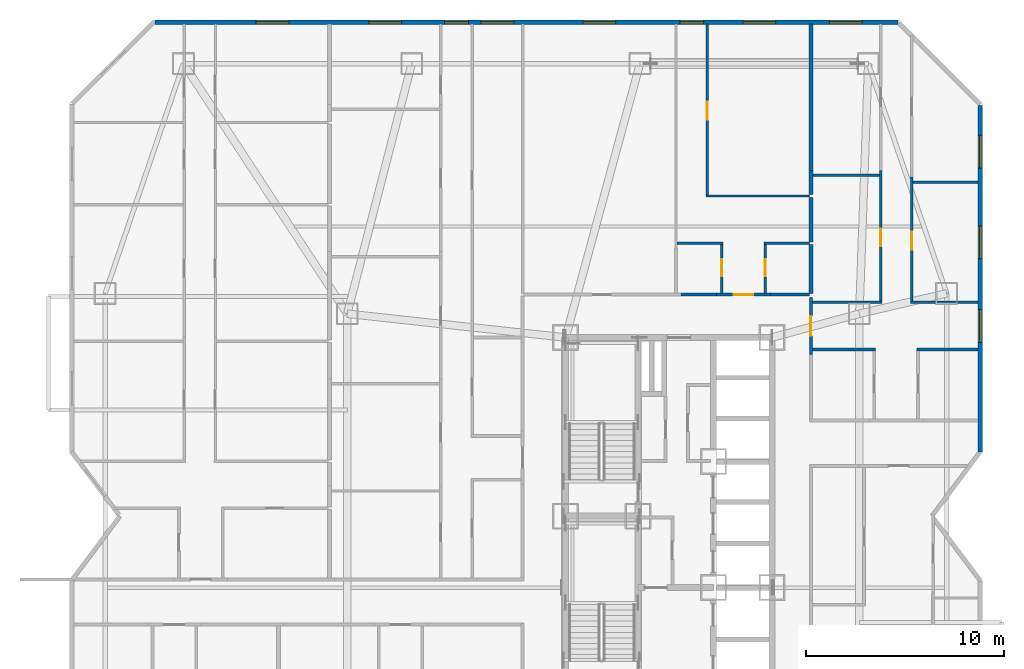
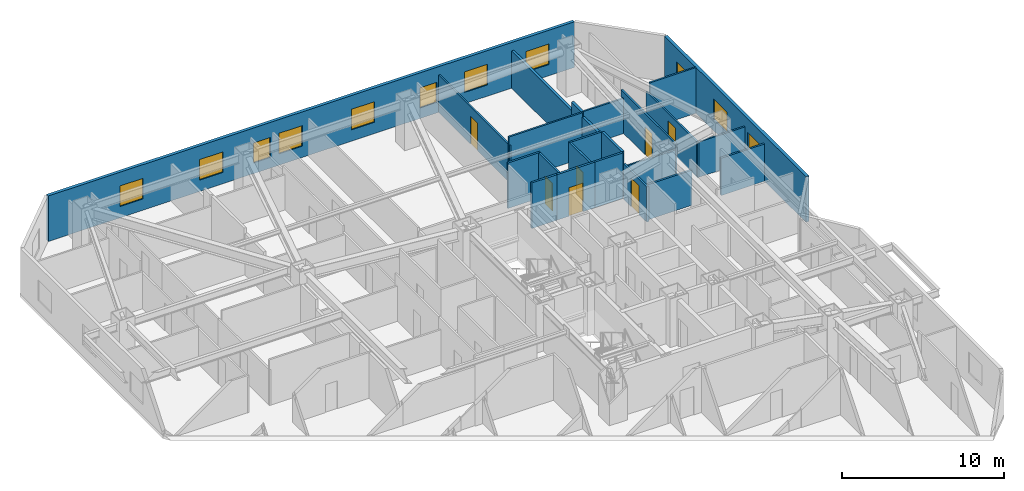
# One storey, part 12 of 14: 24 walls, 11 windows, 7 doors, 18 openings.
"""IFC4 building model written with IfcOpenShell, lengths in metres."""

from ifc_helpers import new_model, si_unit, direction, frame, frame_2d, origin, place, context, subcontext, project, spatial, rectangle, extrude, material, layer, layer_set, type_object, element, fill, save


model = new_model("IFC4")

# Units and contexts
model_context = context("Model", 3, precision=1e-05, world=origin(), true_north=direction((0.0, 1.0)))
body_context = subcontext(model_context, "Body", "Model", "MODEL_VIEW")
ifc_project = project(units=[si_unit("LENGTHUNIT", "METRE"), si_unit("AREAUNIT", "SQUARE_METRE"), si_unit("VOLUMEUNIT", "CUBIC_METRE"), si_unit("PLANEANGLEUNIT", "RADIAN"), si_unit("MASSUNIT", "GRAM", prefix="KILO")], contexts=[model_context])

# Site, building, storey
site_placement = place(None, origin())
site = spatial("IfcSite", under=ifc_project, at=site_placement, CompositionType="ELEMENT")
building_placement = place(site_placement, origin())
building = spatial("IfcBuilding", under=site, at=building_placement, Name="Khamvora Tower", CompositionType="ELEMENT")
storey_placement = place(building_placement, frame((0.0, 0.0, 51.550048828125)))
storey = spatial("IfcBuildingStorey", under=building, at=storey_placement, Name="L12", CompositionType="ELEMENT", Elevation=51.550048828125)

# Wall, opening, door
ifc_material_1 = material(Name="Fire-Rated Drywall and Steel Stud", Category="steel")
ifc_layer_1 = layer(ifc_material_1, 0.14990234375)
ifc_layer_set_1 = layer_set([ifc_layer_1], Name="Fire-Rated Drywall and Steel Stud")
wall_type_1 = type_object("IfcWallType", Name="WAL-CORR-150", PredefinedType="STANDARD", material=ifc_layer_set_1)
wall_1_placement = place(storey_placement, frame((36.615966796875, 39.1650390625, 0.0), z_axis=(0.0, 0.0, 1.0), x_axis=(1.0, 0.0, 0.0)))
wall_1 = element("IfcWall", 1, at=wall_1_placement, inside=storey, type_object=wall_type_1, Name="L12 interior partition wall 031", PredefinedType="STANDARD", context=body_context, shape_type="SweptSolid", body=[
    extrude(rectangle(XDim=2.697998046875, YDim=0.14990234375, at=frame_2d((1.34912109375, 0.0))), origin(), (0.0, 0.0, 1.0), 3.429931640625),
])
opening_1_placement = place(wall_1_placement, frame((0.84912109375, 0.0, 0.0)))
opening_1 = element("IfcOpeningElement", 2, at=opening_1_placement, cuts=wall_1, Name="Opening D-U1", PredefinedType="OPENING", context=body_context, shape_type="SweptSolid", body=[
    extrude(rectangle(XDim=1.0, YDim=2.14990234375, at=frame_2d((0.5, 1.074951171875))), frame((0.0, 0.0849609375, 0.0), z_axis=(0.0, -1.0, 0.0), x_axis=(1.0, 0.0, 0.0)), (0.0, 0.0, 1.0), 0.169921875),
])
ifc_material_2 = material(Name="Powder-Coated Steel and Hardwood Leaf", Category="steel")
door_type_1 = type_object("IfcDoorType", Name="DOR-UNIT-1000", OperationType="NOTDEFINED", PredefinedType="DOOR", material=ifc_material_2)
door_1_placement = place(opening_1_placement, origin())
door_1 = element("IfcDoor", 3, at=door_1_placement, inside=storey, type_object=door_type_1, Name="L12 interior door COR-12NAH", OperationType="SINGLE_SWING_LEFT", OverallHeight=2.14990234375, OverallWidth=1.0, PredefinedType="DOOR", context=body_context, shape_type="SweptSolid", body=[
    extrude(rectangle(XDim=1.0, YDim=2.14990234375, at=frame_2d((0.5, 1.074951171875))), frame((0.0, 0.02490234375, 0.0), z_axis=(0.0, -1.0, 0.0), x_axis=(1.0, 0.0, 0.0)), (0.0, 0.0, 1.0), 0.050048828125),
])
fill(opening_1, door_1)

# Walls
wall_2_placement = place(storey_placement, frame((39.31396484375, 39.1650390625, 0.0), z_axis=(0.0, 0.0, 1.0), x_axis=(1.0, 0.0, 0.0)))
element("IfcWall", 4, at=wall_2_placement, inside=storey, type_object=wall_type_1, Name="L12 interior partition wall 032", PredefinedType="STANDARD", context=body_context, shape_type="SweptSolid", body=[
    extrude(rectangle(XDim=1.986083984375, YDim=0.14990234375, at=frame_2d((0.9931640625, 0.0))), origin(), (0.0, 0.0, 1.0), 3.429931640625),
])
wall_3_placement = place(storey_placement, frame((34.81396484375, 39.1650390625, 0.0), z_axis=(0.0, 0.0, 1.0), x_axis=(1.0, 0.0, 0.0)))
element("IfcWall", 5, at=wall_3_placement, inside=storey, type_object=wall_type_1, Name="L12 interior partition wall 033", PredefinedType="STANDARD", context=body_context, shape_type="SweptSolid", body=[
    extrude(rectangle(XDim=1.802001953125, YDim=0.14990234375, at=frame_2d((0.90087890625, 0.0))), origin(), (0.0, 0.0, 1.0), 3.429931640625),
])

# Wall, opening, door
wall_4_placement = place(storey_placement, frame((41.364990234375, 39.02392578125, 0.0), z_axis=(0.0, 0.0, 1.0), x_axis=(0.0, -1.0, 0.0)))
wall_4 = element("IfcWall", 6, at=wall_4_placement, inside=storey, type_object=wall_type_1, Name="L12 interior partition wall 040", PredefinedType="STANDARD", context=body_context, shape_type="SweptSolid", body=[
    extrude(rectangle(XDim=2.8779296875, YDim=0.14990234375, at=frame_2d((1.43896484375, 0.0))), origin(), (0.0, 0.0, 1.0), 2.64697265625),
])
opening_2_placement = place(wall_4_placement, frame((0.93896484375, 0.0, 0.0)))
opening_2 = element("IfcOpeningElement", 7, at=opening_2_placement, cuts=wall_4, Name="Opening D-U1", PredefinedType="OPENING", context=body_context, shape_type="SweptSolid", body=[
    extrude(rectangle(XDim=1.0, YDim=2.14990234375, at=frame_2d((0.5, 1.074951171875))), frame((0.0, 0.0849609375, 0.0), z_axis=(0.0, -1.0, 0.0), x_axis=(1.0, 0.0, 0.0)), (0.0, 0.0, 1.0), 0.169921875),
])
door_2_placement = place(opening_2_placement, origin())
door_2 = element("IfcDoor", 8, at=door_2_placement, inside=storey, type_object=door_type_1, Name="L12 interior door COR-12ECH", OperationType="SINGLE_SWING_LEFT", OverallHeight=2.14990234375, OverallWidth=1.0, PredefinedType="DOOR", context=body_context, shape_type="SweptSolid", body=[
    extrude(rectangle(XDim=1.0, YDim=2.14990234375, at=frame_2d((0.5, 1.074951171875))), frame((0.0, 0.02490234375, 0.0), z_axis=(0.0, -1.0, 0.0), x_axis=(1.0, 0.0, 0.0)), (0.0, 0.0, 1.0), 0.050048828125),
])
fill(opening_2, door_2)

# Walls
ifc_material_3 = material(Name="Acoustic Double-Stud Fire Wall", Category="gypsum")
ifc_layer_2 = layer(ifc_material_3, 0.179931640625)
ifc_layer_set_2 = layer_set([ifc_layer_2], Name="Acoustic Double-Stud Fire Wall")
wall_type_2 = type_object("IfcWallType", Name="WAL-CORR-180", PredefinedType="STANDARD", material=ifc_layer_set_2)
wall_5_placement = place(storey_placement, frame((41.364990234375, 44.069091796875, 0.0), z_axis=(0.0, 0.0, 1.0), x_axis=(0.0, -1.0, 0.0)))
element("IfcWall", 9, at=wall_5_placement, inside=storey, type_object=wall_type_2, Name="L12 interior partition wall 149", PredefinedType="STANDARD", context=body_context, shape_type="SweptSolid", body=[
    extrude(rectangle(XDim=2.25, YDim=0.179931640625, at=frame_2d((1.125, 0.0))), origin(), (0.0, 0.0, 1.0), 3.10693359375),
])
wall_6_placement = place(storey_placement, frame((41.364990234375, 41.68896484375, 0.0), z_axis=(0.0, 0.0, 1.0), x_axis=(0.0, -1.0, 0.0)))
element("IfcWall", 10, at=wall_6_placement, inside=storey, type_object=wall_type_2, Name="L12 interior partition wall 150", PredefinedType="STANDARD", context=body_context, shape_type="SweptSolid", body=[
    extrude(rectangle(XDim=2.458984375, YDim=0.179931640625, at=frame_2d((1.2294921875, 0.0))), origin(), (0.0, 0.0, 1.0), 3.429931640625),
])
wall_7_placement = place(storey_placement, frame((41.364990234375, 45.41796875, 0.0), z_axis=(0.0, 0.0, 1.0), x_axis=(0.0, -1.0, 0.0)))
element("IfcWall", 11, at=wall_7_placement, inside=storey, type_object=wall_type_2, Name="L12 interior partition wall 151", PredefinedType="STANDARD", context=body_context, shape_type="SweptSolid", body=[
    extrude(rectangle(XDim=1.218994140625, YDim=0.179931640625, at=frame_2d((0.609375, 0.0))), origin(), (0.0, 0.0, 1.0), 3.429931640625),
])
wall_8_placement = place(storey_placement, frame((41.364990234375, 52.7880859375, 0.0), z_axis=(0.0, 0.0, 1.0), x_axis=(0.0, -1.0, 0.0)))
element("IfcWall", 12, at=wall_8_placement, inside=storey, type_object=wall_type_2, Name="L12 interior partition wall 152", PredefinedType="STANDARD", context=body_context, shape_type="SweptSolid", body=[
    extrude(rectangle(XDim=7.3701171875, YDim=0.179931640625, at=frame_2d((3.68505859375, 0.0))), origin(), (0.0, 0.0, 1.0), 2.802978515625),
])

# Wall, openings, windows
ifc_material_4 = material(Name="Precast concrete C40/50", Category="concrete")
ifc_layer_3 = layer(ifc_material_4, 0.219970703125)
ifc_layer_set_3 = layer_set([ifc_layer_3], Name="Precast concrete C40/50")
wall_type_3 = type_object("IfcWallType", Name="WAL-EXT-220", PredefinedType="STANDARD", material=ifc_layer_set_3)
wall_9_placement = place(storey_placement, frame((8.31494140625, 52.889892578125, 0.0), z_axis=(0.0, 0.0, 1.0), x_axis=(1.0, 0.0, 0.0)))
wall_9 = element("IfcWall", 13, at=wall_9_placement, inside=storey, type_object=wall_type_3, Name="L12 exterior facade wall 07.1", PredefinedType="STANDARD", context=body_context, shape_type="SweptSolid", body=[
    extrude(rectangle(XDim=37.43896484375, YDim=0.219970703125, at=frame_2d((18.719482421875, 0.0))), origin(), (0.0, 0.0, 1.0), 3.429931640625),
])
opening_3_placement = place(wall_9_placement, frame((21.56005859375, 0.0, 0.85009765625)))
opening_3 = element("IfcOpeningElement", 14, at=opening_3_placement, cuts=wall_9, Name="Opening WN-06", PredefinedType="OPENING", context=body_context, shape_type="SweptSolid", body=[
    extrude(rectangle(XDim=1.64990234375, YDim=1.550048828125, at=frame_2d((0.824951171875, 0.77490234375))), frame((0.0, 0.119873046875, 0.0), z_axis=(0.0, -1.0, 0.0), x_axis=(1.0, 0.0, 0.0)), (0.0, 0.0, 1.0), 0.239990234375),
])
opening_4_placement = place(wall_9_placement, frame((5.093017578125, 0.0, 0.85009765625)))
opening_4 = element("IfcOpeningElement", 15, at=opening_4_placement, cuts=wall_9, Name="Opening WN-06", PredefinedType="OPENING", context=body_context, shape_type="SweptSolid", body=[
    extrude(rectangle(XDim=1.64990234375, YDim=1.550048828125, at=frame_2d((0.824951171875, 0.77490234375))), frame((0.0, 0.119873046875, 0.0), z_axis=(0.0, -1.0, 0.0), x_axis=(1.0, 0.0, 0.0)), (0.0, 0.0, 1.0), 0.239990234375),
])
opening_5_placement = place(wall_9_placement, frame((16.426025390625, 0.0, 0.85009765625)))
opening_5 = element("IfcOpeningElement", 16, at=opening_5_placement, cuts=wall_9, Name="Opening WN-06", PredefinedType="OPENING", context=body_context, shape_type="SweptSolid", body=[
    extrude(rectangle(XDim=1.64990234375, YDim=1.550048828125, at=frame_2d((0.824951171875, 0.77490234375))), frame((0.0, 0.119873046875, 0.0), z_axis=(0.0, -1.0, 0.0), x_axis=(1.0, 0.0, 0.0)), (0.0, 0.0, 1.0), 0.239990234375),
])
opening_6_placement = place(wall_9_placement, frame((14.592041015625, 0.0, 0.800048828125)))
opening_6 = element("IfcOpeningElement", 17, at=opening_6_placement, cuts=wall_9, Name="Opening WN-03", PredefinedType="OPENING", context=body_context, shape_type="SweptSolid", body=[
    extrude(rectangle(XDim=1.199951171875, YDim=1.5, at=frame_2d((0.60009765625, 0.75))), frame((0.0, 0.119873046875, 0.0), z_axis=(0.0, -1.0, 0.0), x_axis=(1.0, 0.0, 0.0)), (0.0, 0.0, 1.0), 0.239990234375),
])
opening_7_placement = place(wall_9_placement, frame((10.77099609375, 0.0, 0.85009765625)))
opening_7 = element("IfcOpeningElement", 18, at=opening_7_placement, cuts=wall_9, Name="Opening WN-06", PredefinedType="OPENING", context=body_context, shape_type="SweptSolid", body=[
    extrude(rectangle(XDim=1.64990234375, YDim=1.550048828125, at=frame_2d((0.824951171875, 0.77490234375))), frame((0.0, 0.119873046875, 0.0), z_axis=(0.0, -1.0, 0.0), x_axis=(1.0, 0.0, 0.0)), (0.0, 0.0, 1.0), 0.239990234375),
])
opening_8_placement = place(wall_9_placement, frame((26.43994140625, 0.0, 0.800048828125)))
opening_8 = element("IfcOpeningElement", 19, at=opening_8_placement, cuts=wall_9, Name="Opening WN-03", PredefinedType="OPENING", context=body_context, shape_type="SweptSolid", body=[
    extrude(rectangle(XDim=1.199951171875, YDim=1.5, at=frame_2d((0.60009765625, 0.75))), frame((0.0, 0.119873046875, 0.0), z_axis=(0.0, -1.0, 0.0), x_axis=(1.0, 0.0, 0.0)), (0.0, 0.0, 1.0), 0.239990234375),
])
opening_9_placement = place(wall_9_placement, frame((29.614990234375, 0.0, 0.85009765625)))
opening_9 = element("IfcOpeningElement", 20, at=opening_9_placement, cuts=wall_9, Name="Opening WN-06", PredefinedType="OPENING", context=body_context, shape_type="SweptSolid", body=[
    extrude(rectangle(XDim=1.64990234375, YDim=1.550048828125, at=frame_2d((0.824951171875, 0.77490234375))), frame((0.0, 0.119873046875, 0.0), z_axis=(0.0, -1.0, 0.0), x_axis=(1.0, 0.0, 0.0)), (0.0, 0.0, 1.0), 0.239990234375),
])
opening_10_placement = place(wall_9_placement, frame((33.97998046875, 0.0, 0.85009765625)))
opening_10 = element("IfcOpeningElement", 21, at=opening_10_placement, cuts=wall_9, Name="Opening WN-06", PredefinedType="OPENING", context=body_context, shape_type="SweptSolid", body=[
    extrude(rectangle(XDim=1.64990234375, YDim=1.550048828125, at=frame_2d((0.824951171875, 0.77490234375))), frame((0.0, 0.119873046875, 0.0), z_axis=(0.0, -1.0, 0.0), x_axis=(1.0, 0.0, 0.0)), (0.0, 0.0, 1.0), 0.239990234375),
])
ifc_material_5 = material(Name="Low-E Laminated Double Glazing", Category="glass")
window_type_1 = type_object("IfcWindowType", Name="WIN-VIS-1200x1500", PartitioningType="SINGLE_PANEL", PredefinedType="WINDOW", material=ifc_material_5)
window_1_placement = place(opening_6_placement, origin())
window_1 = element("IfcWindow", 22, at=window_1_placement, inside=storey, type_object=window_type_1, Name="L12 vision window 07.1.04", OverallHeight=1.5, OverallWidth=1.199951171875, PartitioningType="SINGLE_PANEL", PredefinedType="WINDOW", context=body_context, shape_type="SweptSolid", body=[
    extrude(rectangle(XDim=1.199951171875, YDim=1.5, at=frame_2d((0.60009765625, 0.75))), frame((0.0, 0.030029296875, 0.0), z_axis=(0.0, -1.0, 0.0), x_axis=(1.0, 0.0, 0.0)), (0.0, 0.0, 1.0), 0.06005859375),
])
fill(opening_6, window_1)
window_2_placement = place(opening_8_placement, origin())
window_2 = element("IfcWindow", 23, at=window_2_placement, inside=storey, type_object=window_type_1, Name="L12 vision window 07.1.06", OverallHeight=1.5, OverallWidth=1.199951171875, PartitioningType="SINGLE_PANEL", PredefinedType="WINDOW", context=body_context, shape_type="SweptSolid", body=[
    extrude(rectangle(XDim=1.199951171875, YDim=1.5, at=frame_2d((0.60009765625, 0.75))), frame((0.0, 0.030029296875, 0.0), z_axis=(0.0, -1.0, 0.0), x_axis=(1.0, 0.0, 0.0)), (0.0, 0.0, 1.0), 0.06005859375),
])
fill(opening_8, window_2)
window_type_2 = type_object("IfcWindowType", Name="WIN-VIS-1650x1550", PartitioningType="SINGLE_PANEL", PredefinedType="WINDOW", material=ifc_material_5)
window_3_placement = place(opening_3_placement, origin())
window_3 = element("IfcWindow", 24, at=window_3_placement, inside=storey, type_object=window_type_2, Name="L12 vision window 07.1.01", OverallHeight=1.550048828125, OverallWidth=1.64990234375, PartitioningType="SINGLE_PANEL", PredefinedType="WINDOW", context=body_context, shape_type="SweptSolid", body=[
    extrude(rectangle(XDim=1.64990234375, YDim=1.550048828125, at=frame_2d((0.824951171875, 0.77490234375))), frame((0.0, 0.030029296875, 0.0), z_axis=(0.0, -1.0, 0.0), x_axis=(1.0, 0.0, 0.0)), (0.0, 0.0, 1.0), 0.06005859375),
])
fill(opening_3, window_3)
window_4_placement = place(opening_4_placement, origin())
window_4 = element("IfcWindow", 25, at=window_4_placement, inside=storey, type_object=window_type_2, Name="L12 vision window 07.1.02", OverallHeight=1.550048828125, OverallWidth=1.64990234375, PartitioningType="SINGLE_PANEL", PredefinedType="WINDOW", context=body_context, shape_type="SweptSolid", body=[
    extrude(rectangle(XDim=1.64990234375, YDim=1.550048828125, at=frame_2d((0.824951171875, 0.77490234375))), frame((0.0, 0.030029296875, 0.0), z_axis=(0.0, -1.0, 0.0), x_axis=(1.0, 0.0, 0.0)), (0.0, 0.0, 1.0), 0.06005859375),
])
fill(opening_4, window_4)
window_5_placement = place(opening_5_placement, origin())
window_5 = element("IfcWindow", 26, at=window_5_placement, inside=storey, type_object=window_type_2, Name="L12 vision window 07.1.03", OverallHeight=1.550048828125, OverallWidth=1.64990234375, PartitioningType="SINGLE_PANEL", PredefinedType="WINDOW", context=body_context, shape_type="SweptSolid", body=[
    extrude(rectangle(XDim=1.64990234375, YDim=1.550048828125, at=frame_2d((0.824951171875, 0.77490234375))), frame((0.0, 0.030029296875, 0.0), z_axis=(0.0, -1.0, 0.0), x_axis=(1.0, 0.0, 0.0)), (0.0, 0.0, 1.0), 0.06005859375),
])
fill(opening_5, window_5)
window_6_placement = place(opening_7_placement, origin())
window_6 = element("IfcWindow", 27, at=window_6_placement, inside=storey, type_object=window_type_2, Name="L12 vision window 07.1.05", OverallHeight=1.550048828125, OverallWidth=1.64990234375, PartitioningType="SINGLE_PANEL", PredefinedType="WINDOW", context=body_context, shape_type="SweptSolid", body=[
    extrude(rectangle(XDim=1.64990234375, YDim=1.550048828125, at=frame_2d((0.824951171875, 0.77490234375))), frame((0.0, 0.030029296875, 0.0), z_axis=(0.0, -1.0, 0.0), x_axis=(1.0, 0.0, 0.0)), (0.0, 0.0, 1.0), 0.06005859375),
])
fill(opening_7, window_6)
window_7_placement = place(opening_9_placement, origin())
window_7 = element("IfcWindow", 28, at=window_7_placement, inside=storey, type_object=window_type_2, Name="L12 vision window 07.1.07", OverallHeight=1.550048828125, OverallWidth=1.64990234375, PartitioningType="SINGLE_PANEL", PredefinedType="WINDOW", context=body_context, shape_type="SweptSolid", body=[
    extrude(rectangle(XDim=1.64990234375, YDim=1.550048828125, at=frame_2d((0.824951171875, 0.77490234375))), frame((0.0, 0.030029296875, 0.0), z_axis=(0.0, -1.0, 0.0), x_axis=(1.0, 0.0, 0.0)), (0.0, 0.0, 1.0), 0.06005859375),
])
fill(opening_9, window_7)
window_8_placement = place(opening_10_placement, origin())
window_8 = element("IfcWindow", 29, at=window_8_placement, inside=storey, type_object=window_type_2, Name="L12 vision window 07.1.08", OverallHeight=1.550048828125, OverallWidth=1.64990234375, PartitioningType="SINGLE_PANEL", PredefinedType="WINDOW", context=body_context, shape_type="SweptSolid", body=[
    extrude(rectangle(XDim=1.64990234375, YDim=1.550048828125, at=frame_2d((0.824951171875, 0.77490234375))), frame((0.0, 0.030029296875, 0.0), z_axis=(0.0, -1.0, 0.0), x_axis=(1.0, 0.0, 0.0)), (0.0, 0.0, 1.0), 0.06005859375),
])
fill(opening_10, window_8)

wall_10_placement = place(storey_placement, frame((49.889892578125, 48.68310546875, 0.0), z_axis=(0.0, 0.0, 1.0), x_axis=(0.0, -1.0, 0.0)))
wall_10 = element("IfcWall", 30, at=wall_10_placement, inside=storey, type_object=wall_type_3, Name="L12 exterior facade wall 09.1", PredefinedType="STANDARD", context=body_context, shape_type="SweptSolid", body=[
    extrude(rectangle(XDim=17.446044921875, YDim=0.219970703125, at=frame_2d((8.72314453125, 0.0))), origin(), (0.0, 0.0, 1.0), 3.429931640625),
])
opening_11_placement = place(wall_10_placement, frame((10.27294921875, 0.0, 0.85009765625)))
opening_11 = element("IfcOpeningElement", 31, at=opening_11_placement, cuts=wall_10, Name="Opening WN-06", PredefinedType="OPENING", context=body_context, shape_type="SweptSolid", body=[
    extrude(rectangle(XDim=1.64990234375, YDim=1.550048828125, at=frame_2d((0.824951171875, 0.77490234375))), frame((0.0, 0.119873046875, 0.0), z_axis=(0.0, -1.0, 0.0), x_axis=(1.0, 0.0, 0.0)), (0.0, 0.0, 1.0), 0.239990234375),
])
opening_12_placement = place(wall_10_placement, frame((6.055908203125, 0.0, 0.85009765625)))
opening_12 = element("IfcOpeningElement", 32, at=opening_12_placement, cuts=wall_10, Name="Opening WN-06", PredefinedType="OPENING", context=body_context, shape_type="SweptSolid", body=[
    extrude(rectangle(XDim=1.64990234375, YDim=1.550048828125, at=frame_2d((0.824951171875, 0.77490234375))), frame((0.0, 0.119873046875, 0.0), z_axis=(0.0, -1.0, 0.0), x_axis=(1.0, 0.0, 0.0)), (0.0, 0.0, 1.0), 0.239990234375),
])
opening_13_placement = place(wall_10_placement, frame((1.4951171875, 0.0, 0.85009765625)))
opening_13 = element("IfcOpeningElement", 33, at=opening_13_placement, cuts=wall_10, Name="Opening WN-06", PredefinedType="OPENING", context=body_context, shape_type="SweptSolid", body=[
    extrude(rectangle(XDim=1.64990234375, YDim=1.550048828125, at=frame_2d((0.824951171875, 0.77490234375))), frame((0.0, 0.119873046875, 0.0), z_axis=(0.0, -1.0, 0.0), x_axis=(1.0, 0.0, 0.0)), (0.0, 0.0, 1.0), 0.239990234375),
])
window_9_placement = place(opening_11_placement, origin())
window_9 = element("IfcWindow", 34, at=window_9_placement, inside=storey, type_object=window_type_2, Name="L12 vision window 09.1.01", OverallHeight=1.550048828125, OverallWidth=1.64990234375, PartitioningType="SINGLE_PANEL", PredefinedType="WINDOW", context=body_context, shape_type="SweptSolid", body=[
    extrude(rectangle(XDim=1.64990234375, YDim=1.550048828125, at=frame_2d((0.824951171875, 0.77490234375))), frame((0.0, 0.030029296875, 0.0), z_axis=(0.0, -1.0, 0.0), x_axis=(1.0, 0.0, 0.0)), (0.0, 0.0, 1.0), 0.06005859375),
])
fill(opening_11, window_9)
window_10_placement = place(opening_12_placement, origin())
window_10 = element("IfcWindow", 35, at=window_10_placement, inside=storey, type_object=window_type_2, Name="L12 vision window 09.1.02", OverallHeight=1.550048828125, OverallWidth=1.64990234375, PartitioningType="SINGLE_PANEL", PredefinedType="WINDOW", context=body_context, shape_type="SweptSolid", body=[
    extrude(rectangle(XDim=1.64990234375, YDim=1.550048828125, at=frame_2d((0.824951171875, 0.77490234375))), frame((0.0, 0.030029296875, 0.0), z_axis=(0.0, -1.0, 0.0), x_axis=(1.0, 0.0, 0.0)), (0.0, 0.0, 1.0), 0.06005859375),
])
fill(opening_12, window_10)
window_11_placement = place(opening_13_placement, origin())
window_11 = element("IfcWindow", 36, at=window_11_placement, inside=storey, type_object=window_type_2, Name="L12 vision window 09.1.03", OverallHeight=1.550048828125, OverallWidth=1.64990234375, PartitioningType="SINGLE_PANEL", PredefinedType="WINDOW", context=body_context, shape_type="SweptSolid", body=[
    extrude(rectangle(XDim=1.64990234375, YDim=1.550048828125, at=frame_2d((0.824951171875, 0.77490234375))), frame((0.0, 0.030029296875, 0.0), z_axis=(0.0, -1.0, 0.0), x_axis=(1.0, 0.0, 0.0)), (0.0, 0.0, 1.0), 0.06005859375),
])
fill(opening_13, window_11)

# Wall, opening, door
ifc_material_6 = material(Name="Gypsum Plasterboard Partition", Category="gypsum")
ifc_layer_4 = layer(ifc_material_6, 0.1201171875)
ifc_layer_set_4 = layer_set([ifc_layer_4], Name="Gypsum Plasterboard Partition")
wall_type_4 = type_object("IfcWallType", Name="WAL-PART-120", PredefinedType="PARTITIONING", material=ifc_layer_set_4)
wall_11_placement = place(storey_placement, frame((36.14501953125, 52.7880859375, 0.0), z_axis=(0.0, 0.0, 1.0), x_axis=(0.0, -1.0, 0.0)))
wall_11 = element("IfcWall", 37, at=wall_11_placement, inside=storey, type_object=wall_type_4, Name="L12 interior partition wall 147", PredefinedType="PARTITIONING", context=body_context, shape_type="SweptSolid", body=[
    extrude(rectangle(XDim=8.718994140625, YDim=0.1201171875, at=frame_2d((4.359375, 0.0))), origin(), (0.0, 0.0, 1.0), 2.802978515625),
])
opening_14_placement = place(wall_11_placement, frame((3.908935546875, 0.0, 0.0)))
opening_14 = element("IfcOpeningElement", 38, at=opening_14_placement, cuts=wall_11, Name="Opening D-RM1", PredefinedType="OPENING", context=body_context, shape_type="SweptSolid", body=[
    extrude(rectangle(XDim=0.89990234375, YDim=2.10009765625, at=frame_2d((0.449951171875, 1.050048828125))), frame((0.0, 0.070068359375, 0.0), z_axis=(0.0, -1.0, 0.0), x_axis=(1.0, 0.0, 0.0)), (0.0, 0.0, 1.0), 0.14013671875),
])
door_type_2 = type_object("IfcDoorType", Name="DOR-ROOM-900", OperationType="NOTDEFINED", PredefinedType="DOOR", material=ifc_material_2)
door_3_placement = place(opening_14_placement, origin())
door_3 = element("IfcDoor", 39, at=door_3_placement, inside=storey, type_object=door_type_2, Name="L12 interior door 12NAH-12NAR1", OperationType="SINGLE_SWING_LEFT", OverallHeight=2.10009765625, OverallWidth=0.89990234375, PredefinedType="DOOR", context=body_context, shape_type="SweptSolid", body=[
    extrude(rectangle(XDim=0.89990234375, YDim=2.10009765625, at=frame_2d((0.449951171875, 1.050048828125))), frame((0.0, 0.02490234375, 0.0), z_axis=(0.0, -1.0, 0.0), x_axis=(1.0, 0.0, 0.0)), (0.0, 0.0, 1.0), 0.050048828125),
])
fill(opening_14, door_3)

# Walls
wall_12_placement = place(storey_placement, frame((36.080078125, 44.134033203125, 0.0), z_axis=(0.0, 0.0, 1.0), x_axis=(1.0, 0.0, 0.0)))
element("IfcWall", 40, at=wall_12_placement, inside=storey, type_object=wall_type_4, Name="L12 interior partition wall 148", PredefinedType="PARTITIONING", context=body_context, shape_type="SweptSolid", body=[
    extrude(rectangle(XDim=5.219970703125, YDim=0.1201171875, at=frame_2d((2.60986328125, 0.0))), origin(), (0.0, 0.0, 1.0), 3.429931640625),
])
wall_13_placement = place(storey_placement, frame((41.431884765625, 38.77490234375, 0.0), z_axis=(0.0, 0.0, 1.0), x_axis=(1.0, 0.0, 0.0)))
element("IfcWall", 41, at=wall_13_placement, inside=storey, type_object=wall_type_4, Name="L12 interior partition wall 172", PredefinedType="PARTITIONING", context=body_context, shape_type="SweptSolid", body=[
    extrude(rectangle(XDim=3.508056640625, YDim=0.1201171875, at=frame_2d((1.75390625, 0.0))), origin(), (0.0, 0.0, 1.0), 2.64697265625),
])

# Wall, opening, door
wall_14_placement = place(storey_placement, frame((44.875, 38.7099609375, 0.0), z_axis=(0.0, 0.0, 1.0), x_axis=(0.0, 1.0, 0.0)))
wall_14 = element("IfcWall", 42, at=wall_14_placement, inside=storey, type_object=wall_type_4, Name="L12 interior partition wall 173", PredefinedType="PARTITIONING", context=body_context, shape_type="SweptSolid", body=[
    extrude(rectangle(XDim=6.7080078125, YDim=0.1201171875, at=frame_2d((3.35400390625, 0.0))), origin(), (0.0, 0.0, 1.0), 3.10693359375),
])
opening_15_placement = place(wall_14_placement, frame((2.883056640625, 0.0, 0.0)))
opening_15 = element("IfcOpeningElement", 43, at=opening_15_placement, cuts=wall_14, Name="Opening D-RM1", PredefinedType="OPENING", context=body_context, shape_type="SweptSolid", body=[
    extrude(rectangle(XDim=0.89990234375, YDim=2.10009765625, at=frame_2d((0.449951171875, 1.050048828125))), frame((0.0, 0.070068359375, 0.0), z_axis=(0.0, -1.0, 0.0), x_axis=(1.0, 0.0, 0.0)), (0.0, 0.0, 1.0), 0.14013671875),
])
door_4_placement = place(opening_15_placement, origin())
door_4 = element("IfcDoor", 44, at=door_4_placement, inside=storey, type_object=door_type_2, Name="L12 interior door 12ECH-12ECL", OperationType="SINGLE_SWING_RIGHT", OverallHeight=2.10009765625, OverallWidth=0.89990234375, PredefinedType="DOOR", context=body_context, shape_type="SweptSolid", body=[
    extrude(rectangle(XDim=0.89990234375, YDim=2.10009765625, at=frame_2d((0.449951171875, 1.050048828125))), frame((0.0, 0.02490234375, 0.0), z_axis=(0.0, -1.0, 0.0), x_axis=(1.0, 0.0, 0.0)), (0.0, 0.0, 1.0), 0.050048828125),
])
fill(opening_15, door_4)

# Wall
wall_15_placement = place(storey_placement, frame((46.3798828125, 38.77490234375, 0.0), z_axis=(0.0, 0.0, 1.0), x_axis=(1.0, 0.0, 0.0)))
element("IfcWall", 45, at=wall_15_placement, inside=storey, type_object=wall_type_4, Name="L12 interior partition wall 175", PredefinedType="PARTITIONING", context=body_context, shape_type="SweptSolid", body=[
    extrude(rectangle(XDim=3.408203125, YDim=0.1201171875, at=frame_2d((1.7041015625, 0.0))), origin(), (0.0, 0.0, 1.0), 2.64697265625),
])

# Wall, opening, door
wall_16_placement = place(storey_placement, frame((46.445068359375, 45.077880859375, 0.0), z_axis=(0.0, 0.0, 1.0), x_axis=(0.0, -1.0, 0.0)))
wall_16 = element("IfcWall", 46, at=wall_16_placement, inside=storey, type_object=wall_type_4, Name="L12 interior partition wall 176", PredefinedType="PARTITIONING", context=body_context, shape_type="SweptSolid", body=[
    extrude(rectangle(XDim=6.367919921875, YDim=0.1201171875, at=frame_2d((3.18408203125, 0.0))), origin(), (0.0, 0.0, 1.0), 2.64697265625),
])
opening_16_placement = place(wall_16_placement, frame((2.7548828125, 0.0, 0.0)))
opening_16 = element("IfcOpeningElement", 47, at=opening_16_placement, cuts=wall_16, Name="Opening D-RM1", PredefinedType="OPENING", context=body_context, shape_type="SweptSolid", body=[
    extrude(rectangle(XDim=0.89990234375, YDim=2.10009765625, at=frame_2d((0.449951171875, 1.050048828125))), frame((0.0, 0.070068359375, 0.0), z_axis=(0.0, -1.0, 0.0), x_axis=(1.0, 0.0, 0.0)), (0.0, 0.0, 1.0), 0.14013671875),
])
door_5_placement = place(opening_16_placement, origin())
door_5 = element("IfcDoor", 48, at=door_5_placement, inside=storey, type_object=door_type_2, Name="L12 interior door 12ECH-12ECR3", OperationType="SINGLE_SWING_RIGHT", OverallHeight=2.10009765625, OverallWidth=0.89990234375, PredefinedType="DOOR", context=body_context, shape_type="SweptSolid", body=[
    extrude(rectangle(XDim=0.89990234375, YDim=2.10009765625, at=frame_2d((0.449951171875, 1.050048828125))), frame((0.0, 0.02490234375, 0.0), z_axis=(0.0, -1.0, 0.0), x_axis=(1.0, 0.0, 0.0)), (0.0, 0.0, 1.0), 0.050048828125),
])
fill(opening_16, door_5)

# Walls
wall_17_placement = place(storey_placement, frame((41.447021484375, 45.1689453125, 0.0), z_axis=(0.0, 0.0, 1.0), x_axis=(1.0, 0.0, 0.0)))
element("IfcWall", 49, at=wall_17_placement, inside=storey, type_object=wall_type_4, Name="L12 interior partition wall 178", PredefinedType="PARTITIONING", context=body_context, shape_type="SweptSolid", body=[
    extrude(rectangle(XDim=3.3740234375, YDim=0.1201171875, at=frame_2d((1.68701171875, 0.0))), origin(), (0.0, 0.0, 1.0), 2.64697265625),
])
wall_18_placement = place(storey_placement, frame((46.4990234375, 44.827880859375, 0.0), z_axis=(0.0, 0.0, 1.0), x_axis=(1.0, 0.0, 0.0)))
element("IfcWall", 50, at=wall_18_placement, inside=storey, type_object=wall_type_4, Name="L12 interior partition wall 179", PredefinedType="PARTITIONING", context=body_context, shape_type="SweptSolid", body=[
    extrude(rectangle(XDim=3.2890625, YDim=0.1201171875, at=frame_2d((1.64453125, 0.0))), origin(), (0.0, 0.0, 1.0), 3.429931640625),
])
ifc_material_7 = material(Name="Moisture-Resistant Plasterboard Partition", Category="gypsum")
ifc_layer_5 = layer(ifc_material_7, 0.135009765625)
ifc_layer_set_5 = layer_set([ifc_layer_5], Name="Moisture-Resistant Plasterboard Partition")
wall_type_5 = type_object("IfcWallType", Name="WAL-WET-135", PredefinedType="PARTITIONING", material=ifc_layer_set_5)
wall_19_placement = place(storey_placement, frame((41.300048828125, 41.75390625, 0.0), z_axis=(0.0, 0.0, 1.0), x_axis=(-1.0, 0.0, 0.0)))
element("IfcWall", 51, at=wall_19_placement, inside=storey, type_object=wall_type_5, Name="L12 interior partition wall 143", PredefinedType="PARTITIONING", context=body_context, shape_type="SweptSolid", body=[
    extrude(rectangle(XDim=2.300048828125, YDim=0.135009765625, at=frame_2d((1.14990234375, 0.0))), origin(), (0.0, 0.0, 1.0), 3.429931640625),
])

# Wall, opening, door
wall_20_placement = place(storey_placement, frame((39.06494140625, 41.819091796875, 0.0), z_axis=(0.0, 0.0, 1.0), x_axis=(0.0, -1.0, 0.0)))
wall_20 = element("IfcWall", 52, at=wall_20_placement, inside=storey, type_object=wall_type_5, Name="L12 interior partition wall 144", PredefinedType="PARTITIONING", context=body_context, shape_type="SweptSolid", body=[
    extrude(rectangle(XDim=2.587158203125, YDim=0.135009765625, at=frame_2d((1.29345703125, 0.0))), origin(), (0.0, 0.0, 1.0), 3.429931640625),
])
opening_17_placement = place(wall_20_placement, frame((0.868896484375, 0.0, 0.0)))
opening_17 = element("IfcOpeningElement", 53, at=opening_17_placement, cuts=wall_20, Name="Opening D-WC1", PredefinedType="OPENING", context=body_context, shape_type="SweptSolid", body=[
    extrude(rectangle(XDim=0.85009765625, YDim=2.10009765625, at=frame_2d((0.425048828125, 1.050048828125))), frame((0.0, 0.077392578125, 0.0), z_axis=(0.0, -1.0, 0.0), x_axis=(1.0, 0.0, 0.0)), (0.0, 0.0, 1.0), 0.155029296875),
])
door_type_3 = type_object("IfcDoorType", Name="DOR-WET-850", OperationType="NOTDEFINED", PredefinedType="DOOR", material=ifc_material_2)
door_6_placement = place(opening_17_placement, origin())
door_6 = element("IfcDoor", 54, at=door_6_placement, inside=storey, type_object=door_type_3, Name="L12 interior door 12NAH-12NAB", OperationType="SINGLE_SWING_LEFT", OverallHeight=2.10009765625, OverallWidth=0.85009765625, PredefinedType="DOOR", context=body_context, shape_type="SweptSolid", body=[
    extrude(rectangle(XDim=0.85009765625, YDim=2.10009765625, at=frame_2d((0.425048828125, 1.050048828125))), frame((0.0, 0.02490234375, 0.0), z_axis=(0.0, -1.0, 0.0), x_axis=(1.0, 0.0, 0.0)), (0.0, 0.0, 1.0), 0.050048828125),
])
fill(opening_17, door_6)

wall_21_placement = place(storey_placement, frame((36.864990234375, 39.23193359375, 0.0), z_axis=(0.0, 0.0, 1.0), x_axis=(0.0, 1.0, 0.0)))
wall_21 = element("IfcWall", 55, at=wall_21_placement, inside=storey, type_object=wall_type_5, Name="L12 interior partition wall 145", PredefinedType="PARTITIONING", context=body_context, shape_type="SweptSolid", body=[
    extrude(rectangle(XDim=2.587158203125, YDim=0.135009765625, at=frame_2d((1.29345703125, 0.0))), origin(), (0.0, 0.0, 1.0), 3.429931640625),
])
opening_18_placement = place(wall_21_placement, frame((0.868896484375, 0.0, 0.0)))
opening_18 = element("IfcOpeningElement", 56, at=opening_18_placement, cuts=wall_21, Name="Opening D-RM2", PredefinedType="OPENING", context=body_context, shape_type="SweptSolid", body=[
    extrude(rectangle(XDim=0.85009765625, YDim=2.10009765625, at=frame_2d((0.425048828125, 1.050048828125))), frame((0.0, 0.077392578125, 0.0), z_axis=(0.0, -1.0, 0.0), x_axis=(1.0, 0.0, 0.0)), (0.0, 0.0, 1.0), 0.155029296875),
])
door_type_4 = type_object("IfcDoorType", Name="DOR-ROOM-850", OperationType="NOTDEFINED", PredefinedType="DOOR", material=ifc_material_2)
door_7_placement = place(opening_18_placement, origin())
door_7 = element("IfcDoor", 57, at=door_7_placement, inside=storey, type_object=door_type_4, Name="L12 interior door 12NAH-12NAK", OperationType="SINGLE_SWING_RIGHT", OverallHeight=2.10009765625, OverallWidth=0.85009765625, PredefinedType="DOOR", context=body_context, shape_type="SweptSolid", body=[
    extrude(rectangle(XDim=0.85009765625, YDim=2.10009765625, at=frame_2d((0.425048828125, 1.050048828125))), frame((0.0, 0.02490234375, 0.0), z_axis=(0.0, -1.0, 0.0), x_axis=(1.0, 0.0, 0.0)), (0.0, 0.0, 1.0), 0.050048828125),
])
fill(opening_18, door_7)

# Walls
wall_22_placement = place(storey_placement, frame((36.929931640625, 41.75390625, 0.0), z_axis=(0.0, 0.0, 1.0), x_axis=(-1.0, 0.0, 0.0)))
element("IfcWall", 58, at=wall_22_placement, inside=storey, type_object=wall_type_5, Name="L12 interior partition wall 146", PredefinedType="PARTITIONING", context=body_context, shape_type="SweptSolid", body=[
    extrude(rectangle(XDim=2.31103515625, YDim=0.135009765625, at=frame_2d((1.155517578125, 0.0))), origin(), (0.0, 0.0, 1.0), 3.429931640625),
])
wall_23_placement = place(storey_placement, frame((44.625, 36.39501953125, 0.0), z_axis=(0.0, 0.0, 1.0), x_axis=(-1.0, 0.0, 0.0)))
element("IfcWall", 59, at=wall_23_placement, inside=storey, type_object=wall_type_5, Name="L12 interior partition wall 169", PredefinedType="PARTITIONING", context=body_context, shape_type="SweptSolid", body=[
    extrude(rectangle(XDim=3.193115234375, YDim=0.135009765625, at=frame_2d((1.5966796875, 0.0))), origin(), (0.0, 0.0, 1.0), 2.64697265625),
])
wall_24_placement = place(storey_placement, frame((49.7880859375, 36.39501953125, 0.0), z_axis=(0.0, 0.0, 1.0), x_axis=(-1.0, 0.0, 0.0)))
element("IfcWall", 60, at=wall_24_placement, inside=storey, type_object=wall_type_5, Name="L12 interior partition wall 170", PredefinedType="PARTITIONING", context=body_context, shape_type="SweptSolid", body=[
    extrude(rectangle(XDim=3.093017578125, YDim=0.135009765625, at=frame_2d((1.54638671875, 0.0))), origin(), (0.0, 0.0, 1.0), 2.802978515625),
])

save(model, "model.ifc")
